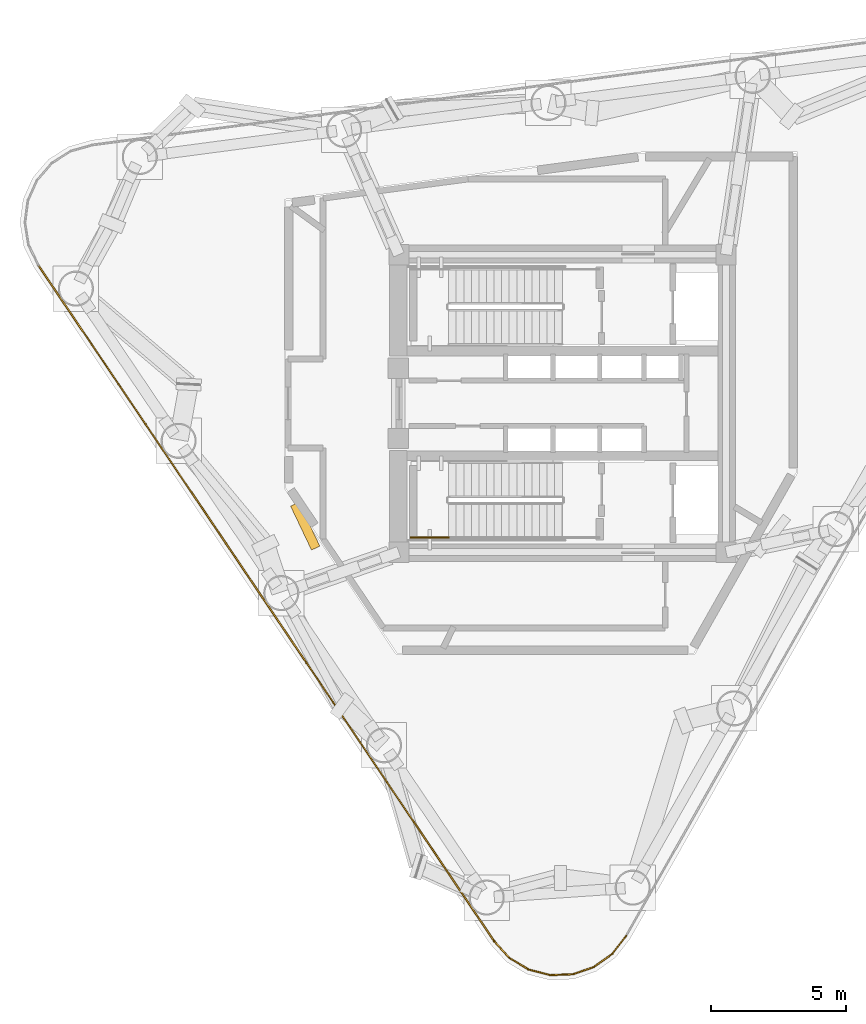
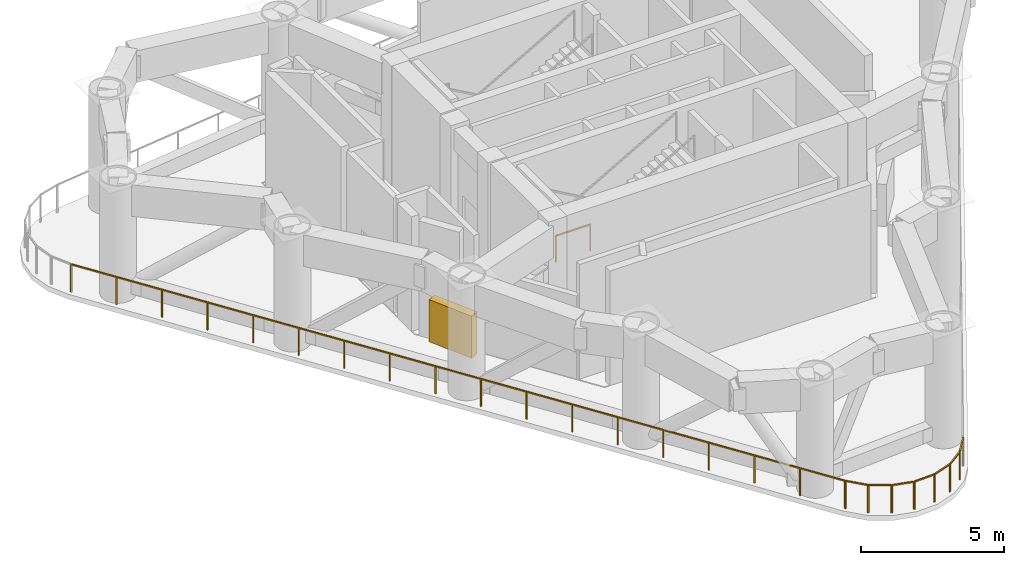
# One storey, part 6 of 10: 9 railings, 1 shading device.
"""IFC4 building model written with IfcOpenShell, lengths in metres."""

from ifc_helpers import new_model, si_unit, direction, frame, origin, origin_2d, place, context, subcontext, project, spatial, rectangle, extrude, source, transform, mapped, material, layer, layer_set, type_object, element, save


model = new_model("IFC4")

# Units and contexts
model_context = context("Model", 3, precision=1e-05, world=origin(), true_north=direction((0.0, 1.0)))
body_context = subcontext(model_context, "Body", "Model", "MODEL_VIEW")
ifc_project = project(units=[si_unit("LENGTHUNIT", "METRE"), si_unit("AREAUNIT", "SQUARE_METRE"), si_unit("VOLUMEUNIT", "CUBIC_METRE"), si_unit("PLANEANGLEUNIT", "RADIAN"), si_unit("MASSUNIT", "GRAM", prefix="KILO")], contexts=[model_context])

# Site, building, storey
site_placement = place(None, origin())
site = spatial("IfcSite", under=ifc_project, at=site_placement, CompositionType="ELEMENT")
building_placement = place(site_placement, origin())
building = spatial("IfcBuilding", under=site, at=building_placement, Name="Yunling Apex Tower", CompositionType="ELEMENT")
storey_placement = place(building_placement, frame((0.0, 0.0, 186.35009765625)))
storey = spatial("IfcBuildingStorey", under=building, at=storey_placement, Name="RF5", CompositionType="ELEMENT", Elevation=186.35009765625)

# Railings
ifc_material_1 = material(Name="Bronze anodised aluminium", Category="aluminium")
railing_type_1 = type_object("IfcRailingType", Name="RL-BAL-1200", PredefinedType="BALUSTRADE", material=ifc_material_1)
railing_1_placement = place(storey_placement, frame((-2.515380859375, -19.90234375, 0.0)))
element("IfcRailing", 1, at=railing_1_placement, inside=storey, type_object=railing_type_1, Name="RL-REF-RF5-01", PredefinedType="BALUSTRADE", context=body_context, shape_type="SweptSolid", body=[
    extrude(rectangle(XDim=0.0439453125, YDim=0.0439453125, at=origin_2d()), origin(), (0.0, 0.0, 1.0), 1.199951171875),
    extrude(rectangle(XDim=0.0439453125, YDim=0.0439453125, at=origin_2d()), frame((-16.880126953125, 25.025634765625, 0.0)), (0.0, 0.0, 1.0), 1.199951171875),
    extrude(rectangle(XDim=0.050048828125, YDim=0.050048828125, at=origin_2d()), frame((-0.021484375, 0.03173828125, 1.1748046875), z_axis=(-0.559195707748, 0.829035681039, 0.0), x_axis=(-0.829035681039, -0.559195707748, 0.0)), (0.0, 0.0, 1.0), 30.10986328125),
    extrude(rectangle(XDim=0.0439453125, YDim=0.0439453125, at=origin_2d()), frame((-0.992919921875, 1.47216796875, 0.0)), (0.0, 0.0, 1.0), 1.14599609375),
    extrude(rectangle(XDim=0.0439453125, YDim=0.0439453125, at=origin_2d()), frame((-1.98583984375, 2.944091796875, 0.0)), (0.0, 0.0, 1.0), 1.14599609375),
    extrude(rectangle(XDim=0.0439453125, YDim=0.0439453125, at=origin_2d()), frame((-2.978759765625, 4.416259765625, 0.0)), (0.0, 0.0, 1.0), 1.14599609375),
    extrude(rectangle(XDim=0.0439453125, YDim=0.0439453125, at=origin_2d()), frame((-3.9716796875, 5.888427734375, 0.0)), (0.0, 0.0, 1.0), 1.14599609375),
    extrude(rectangle(XDim=0.0439453125, YDim=0.0439453125, at=origin_2d()), frame((-4.96484375, 7.360595703125, 0.0)), (0.0, 0.0, 1.0), 1.14599609375),
    extrude(rectangle(XDim=0.0439453125, YDim=0.0439453125, at=origin_2d()), frame((-5.957763671875, 8.83251953125, 0.0)), (0.0, 0.0, 1.0), 1.14599609375),
    extrude(rectangle(XDim=0.0439453125, YDim=0.0439453125, at=origin_2d()), frame((-6.95068359375, 10.3046875, 0.0)), (0.0, 0.0, 1.0), 1.14599609375),
    extrude(rectangle(XDim=0.0439453125, YDim=0.0439453125, at=origin_2d()), frame((-7.943603515625, 11.77685546875, 0.0)), (0.0, 0.0, 1.0), 1.14599609375),
    extrude(rectangle(XDim=0.0439453125, YDim=0.0439453125, at=origin_2d()), frame((-8.9365234375, 13.248779296875, 0.0)), (0.0, 0.0, 1.0), 1.14599609375),
    extrude(rectangle(XDim=0.0439453125, YDim=0.0439453125, at=origin_2d()), frame((-9.929443359375, 14.720947265625, 0.0)), (0.0, 0.0, 1.0), 1.14599609375),
    extrude(rectangle(XDim=0.0439453125, YDim=0.0439453125, at=origin_2d()), frame((-10.92236328125, 16.193115234375, 0.0)), (0.0, 0.0, 1.0), 1.14599609375),
    extrude(rectangle(XDim=0.0439453125, YDim=0.0439453125, at=origin_2d()), frame((-11.915283203125, 17.6650390625, 0.0)), (0.0, 0.0, 1.0), 1.14599609375),
    extrude(rectangle(XDim=0.0439453125, YDim=0.0439453125, at=origin_2d()), frame((-12.908447265625, 19.13720703125, 0.0)), (0.0, 0.0, 1.0), 1.14599609375),
    extrude(rectangle(XDim=0.0439453125, YDim=0.0439453125, at=origin_2d()), frame((-13.9013671875, 20.609375, 0.0)), (0.0, 0.0, 1.0), 1.14599609375),
    extrude(rectangle(XDim=0.0439453125, YDim=0.0439453125, at=origin_2d()), frame((-14.894287109375, 22.08154296875, 0.0)), (0.0, 0.0, 1.0), 1.14599609375),
    extrude(rectangle(XDim=0.0439453125, YDim=0.0439453125, at=origin_2d()), frame((-15.88720703125, 23.553466796875, 0.0)), (0.0, 0.0, 1.0), 1.14599609375),
])
railing_2_placement = place(storey_placement, frame((2.3583984375, -19.688232421875, 0.0)))
element("IfcRailing", 2, at=railing_2_placement, inside=storey, type_object=railing_type_1, Name="RL-REF-RF5-18", PredefinedType="BALUSTRADE", context=body_context, shape_type="SweptSolid", body=[
    extrude(rectangle(XDim=0.0439453125, YDim=0.0439453125, at=origin_2d()), origin(), (0.0, 0.0, 1.0), 1.199951171875),
    extrude(rectangle(XDim=0.0439453125, YDim=0.0439453125, at=origin_2d()), frame((-0.5341796875, -0.687255859375, 0.0)), (0.0, 0.0, 1.0), 1.199951171875),
    extrude(rectangle(XDim=0.050048828125, YDim=0.050048828125, at=origin_2d()), frame((-0.0234375, -0.0302734375, 1.1748046875), z_axis=(-0.613688150981, -0.789548512345, 0.0), x_axis=(0.789548512345, -0.613688150981, 0.0)), (0.0, 0.0, 1.0), 0.793701171875),
])
railing_3_placement = place(storey_placement, frame((1.845703125, -20.354736328125, 0.0)))
element("IfcRailing", 3, at=railing_3_placement, inside=storey, type_object=railing_type_1, Name="RL-REF-RF5-19", PredefinedType="BALUSTRADE", context=body_context, shape_type="SweptSolid", body=[
    extrude(rectangle(XDim=0.0439453125, YDim=0.0439453125, at=origin_2d()), origin(), (0.0, 0.0, 1.0), 1.199951171875),
    extrude(rectangle(XDim=0.0439453125, YDim=0.0439453125, at=origin_2d()), frame((-0.697509765625, -0.497802734375, 0.0)), (0.0, 0.0, 1.0), 1.199951171875),
    extrude(rectangle(XDim=0.050048828125, YDim=0.050048828125, at=origin_2d()), frame((-0.03125, -0.022216796875, 1.1748046875), z_axis=(-0.813964408392, -0.580914745786, 0.0), x_axis=(0.580914745786, -0.813964408392, 0.0)), (0.0, 0.0, 1.0), 0.7802734375),
])
railing_4_placement = place(storey_placement, frame((1.174560546875, -20.8388671875, 0.0)))
element("IfcRailing", 4, at=railing_4_placement, inside=storey, type_object=railing_type_1, Name="RL-REF-RF5-20", PredefinedType="BALUSTRADE", context=body_context, shape_type="SweptSolid", body=[
    extrude(rectangle(XDim=0.0439453125, YDim=0.0439453125, at=origin_2d()), origin(), (0.0, 0.0, 1.0), 1.199951171875),
    extrude(rectangle(XDim=0.0439453125, YDim=0.0439453125, at=origin_2d()), frame((-0.81103515625, -0.27734375, 0.0)), (0.0, 0.0, 1.0), 1.199951171875),
    extrude(rectangle(XDim=0.050048828125, YDim=0.050048828125, at=origin_2d()), frame((-0.036376953125, -0.012451171875, 1.1748046875), z_axis=(-0.946205297903, -0.323566892961, 0.0), x_axis=(0.323566892961, -0.946205297903, 0.0)), (0.0, 0.0, 1.0), 0.780517578125),
])
railing_5_placement = place(storey_placement, frame((0.392578125, -21.110595703125, 0.0)))
element("IfcRailing", 5, at=railing_5_placement, inside=storey, type_object=railing_type_1, Name="RL-REF-RF5-21", PredefinedType="BALUSTRADE", context=body_context, shape_type="SweptSolid", body=[
    extrude(rectangle(XDim=0.0439453125, YDim=0.0439453125, at=origin_2d()), origin(), (0.0, 0.0, 1.0), 1.199951171875),
    extrude(rectangle(XDim=0.0439453125, YDim=0.0439453125, at=origin_2d()), frame((-0.856201171875, -0.033447265625, 0.0)), (0.0, 0.0, 1.0), 1.199951171875),
    extrude(rectangle(XDim=0.050048828125, YDim=0.050048828125, at=origin_2d()), frame((-0.038330078125, -0.00146484375, 1.1748046875), z_axis=(-0.99923784573, -0.039034954338, 0.0), x_axis=(0.039034954338, -0.99923784573, 0.0)), (0.0, 0.0, 1.0), 0.7802734375),
])
railing_6_placement = place(storey_placement, frame((-0.43408203125, -21.147216796875, 0.0)))
element("IfcRailing", 6, at=railing_6_placement, inside=storey, type_object=railing_type_1, Name="RL-REF-RF5-22", PredefinedType="BALUSTRADE", context=body_context, shape_type="SweptSolid", body=[
    extrude(rectangle(XDim=0.0439453125, YDim=0.0439453125, at=origin_2d()), origin(), (0.0, 0.0, 1.0), 1.199951171875),
    extrude(rectangle(XDim=0.0439453125, YDim=0.0439453125, at=origin_2d()), frame((-0.830078125, 0.213134765625, 0.0)), (0.0, 0.0, 1.0), 1.199951171875),
    extrude(rectangle(XDim=0.050048828125, YDim=0.050048828125, at=origin_2d()), frame((-0.037109375, 0.009521484375, 1.1748046875), z_axis=(-0.968581214017, 0.24869747054, 0.0), x_axis=(-0.24869747054, -0.968581214017, 0.0)), (0.0, 0.0, 1.0), 0.7802734375),
])
railing_7_placement = place(storey_placement, frame((-1.23681640625, -20.9453125, 0.0)))
element("IfcRailing", 7, at=railing_7_placement, inside=storey, type_object=railing_type_1, Name="RL-REF-RF5-23", PredefinedType="BALUSTRADE", context=body_context, shape_type="SweptSolid", body=[
    extrude(rectangle(XDim=0.0439453125, YDim=0.0439453125, at=origin_2d()), origin(), (0.0, 0.0, 1.0), 1.199951171875),
    extrude(rectangle(XDim=0.0439453125, YDim=0.0439453125, at=origin_2d()), frame((-0.734130859375, 0.44189453125, 0.0)), (0.0, 0.0, 1.0), 1.199951171875),
    extrude(rectangle(XDim=0.050048828125, YDim=0.050048828125, at=origin_2d()), frame((-0.032958984375, 0.019775390625, 1.1748046875), z_axis=(-0.856762997491, 0.515710351001, 0.0), x_axis=(-0.515710351001, -0.856762997491, 0.0)), (0.0, 0.0, 1.0), 0.7802734375),
])
railing_8_placement = place(storey_placement, frame((-1.947998046875, -20.522216796875, 0.0)))
element("IfcRailing", 8, at=railing_8_placement, inside=storey, type_object=railing_type_1, Name="RL-REF-RF5-24", PredefinedType="BALUSTRADE", context=body_context, shape_type="SweptSolid", body=[
    extrude(rectangle(XDim=0.0439453125, YDim=0.0439453125, at=origin_2d()), origin(), (0.0, 0.0, 1.0), 1.199951171875),
    extrude(rectangle(XDim=0.0439453125, YDim=0.0439453125, at=origin_2d()), frame((-0.5859375, 0.643310546875, 0.0)), (0.0, 0.0, 1.0), 1.199951171875),
    extrude(rectangle(XDim=0.050048828125, YDim=0.050048828125, at=origin_2d()), frame((-0.02587890625, 0.0283203125, 1.1748046875), z_axis=(-0.67337074847, 0.739304967591, 0.0), x_axis=(-0.739304967591, -0.67337074847, 0.0)), (0.0, 0.0, 1.0), 0.79345703125),
])
ifc_material_2 = material(Name="Steel Q355B", Category="steel")
railing_type_2 = type_object("IfcRailingType", Name="RL-GRD-1150", PredefinedType="GUARDRAIL", material=ifc_material_2)
railing_9_placement = place(storey_placement, frame((-4.2099609375, -4.9599609375, 2.5498046875)))
element("IfcRailing", 9, at=railing_9_placement, inside=storey, type_object=railing_type_2, Name="RF5 ST-2 stair guard 3", PredefinedType="GUARDRAIL", context=body_context, shape_type="SweptSolid", body=[
    extrude(rectangle(XDim=0.0439453125, YDim=0.0439453125, at=origin_2d()), origin(), (0.0, 0.0, 1.0), 1.14990234375),
    extrude(rectangle(XDim=0.0439453125, YDim=0.0439453125, at=origin_2d()), frame((-1.39013671875, 0.0, 0.0)), (0.0, 0.0, 1.0), 1.14990234375),
    extrude(rectangle(XDim=0.050048828125, YDim=0.050048828125, at=origin_2d()), frame((-0.038330078125, 0.0, 1.125), z_axis=(-1.0, 0.0, 0.0), x_axis=(0.0, -1.0, 0.0)), (0.0, 0.0, 1.0), 1.3134765625),
])

# Shading device
ifc_layer = layer(ifc_material_1, 0.1201171875)
ifc_layer_set = layer_set([ifc_layer], Name="Bronze anodised aluminium")
shading_device_type = type_object("IfcShadingDeviceType", Name="LV-BRZ-1", PredefinedType="USERDEFINED", material=ifc_layer_set)
shared_shape = source(origin(), body_context, "Body", "SweptSolid", [
    extrude(rectangle(XDim=1.800048828125, YDim=0.340087890625, at=origin_2d()), origin(), (0.0, 0.0, 1.0), 1.800048828125),
])
shading_device_placement = place(storey_placement, frame((-9.515625, -4.538818359375, 0.0), z_axis=(0.0, 0.0, 1.0), x_axis=(-0.430511096808, 0.90258528435, 0.0)))
element("IfcShadingDevice", 10, at=shading_device_placement, inside=storey, type_object=shading_device_type, Name="LV-REF-RF5-1", ObjectType="LOUVRE", PredefinedType="USERDEFINED", context=body_context, shape_type="MappedRepresentation", body=[
    mapped(shared_shape, transform((0.0, 0.0, 0.0), scale=1.0)),
])

save(model, "model.ifc")
